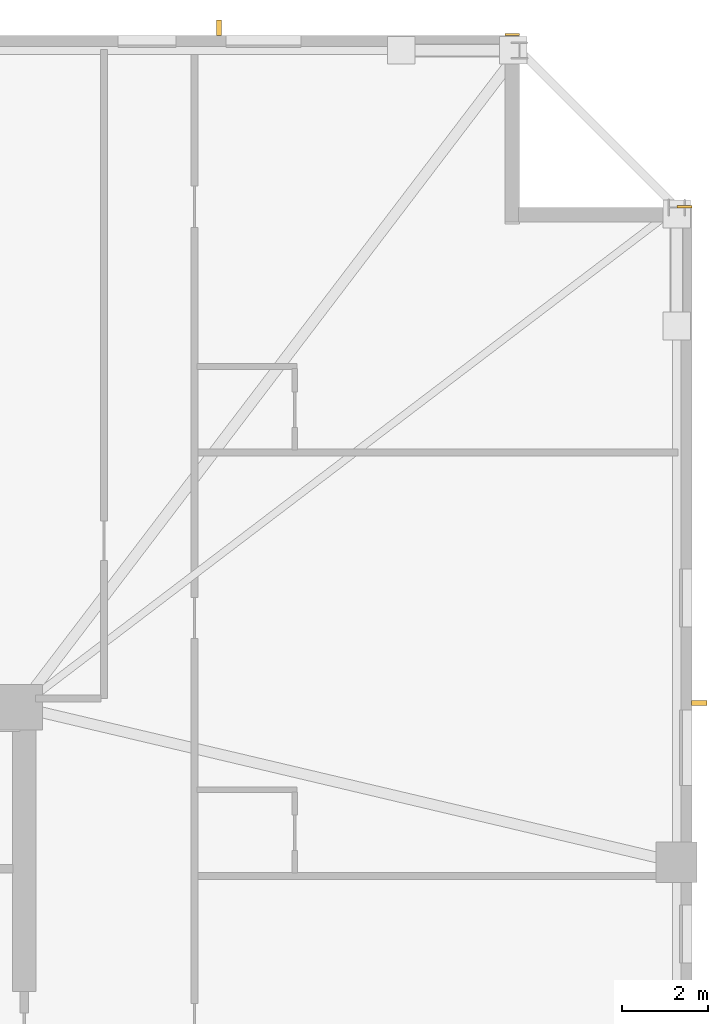
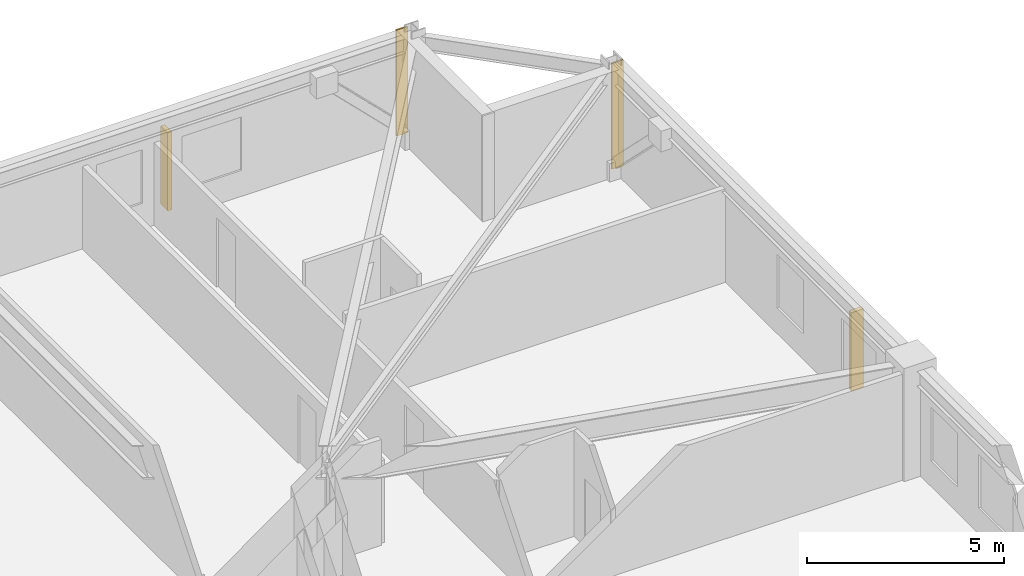
# One storey, part 10 of 10: 2 coverings, 2 shading devices.
"""IFC4 building model written with IfcOpenShell, lengths in metres."""

import ifcopenshell
import ifcopenshell.guid

model = None  # the IFC model being written
_history = None  # IfcOwnerHistory: only IFC2X3 demands one
_inside = {}  # id of a spatial element -> (the spatial element, [elements in it])
_under = {}  # id of a project, library or spatial element -> (it, [spatial elements below it])
_declared = {}  # id of a project -> (the project, [libraries it declares])
_typed = {}  # id of a type object -> (the type object, [elements of that type])
_made_of = {}  # id of a material, layer set ... -> (it, [elements and type objects made of it])


def new_model(schema):
    """Start an empty IFC model of exactly this schema.

    Asked for "IFC4X3", IfcOpenShell would pick the latest addendum, in which some entities
    have other attributes; the version numbers below select the first issue.
    IFC2X3 requires an IfcOwnerHistory on every rooted entity: one is made here for all.
    """
    global model, _history
    if schema == "IFC4X3":
        model = ifcopenshell.file(schema_version=(4, 3, 0, 0))
    else:
        model = ifcopenshell.file(schema=schema)
    _inside.clear()
    _under.clear()
    _declared.clear()
    _typed.clear()
    _made_of.clear()
    _history = None
    if model.schema == "IFC2X3":
        org = make("IfcOrganization", Name="unknown")
        user = make(
            "IfcPersonAndOrganization",
            ThePerson=make("IfcPerson", FamilyName="unknown"),
            TheOrganization=org,
        )
        app = make(
            "IfcApplication",
            ApplicationDeveloper=org,
            Version="unknown",
            ApplicationFullName="unknown",
            ApplicationIdentifier="unknown",
        )
        _history = make(
            "IfcOwnerHistory",
            OwningUser=user,
            OwningApplication=app,
            ChangeAction="ADDED",
            CreationDate=0,
        )
    return model


def make(cls, **values):
    """One entity of the class cls with the attributes given. An attribute that is None is left unset."""
    return model.create_entity(
        cls, **{name: value for name, value in values.items() if value is not None}
    )


def rooted(cls, **values):
    """An entity with a GlobalId (a new one), such as an element, a storey or a relation."""
    return make(cls, GlobalId=ifcopenshell.guid.new(), OwnerHistory=_history, **values)


def si_unit(unit_type, name, prefix=None):
    """IfcSIUnit, for example si_unit("LENGTHUNIT", "METRE", prefix="MILLI")."""
    return make("IfcSIUnit", UnitType=unit_type, Prefix=prefix, Name=name)


def assignment(units):
    """IfcUnitAssignment: the units of a project."""
    return None if units is None else make("IfcUnitAssignment", Units=units)


def point(xyz):
    """IfcCartesianPoint."""
    return None if xyz is None else make("IfcCartesianPoint", Coordinates=xyz)


def direction(xyz):
    """IfcDirection."""
    return None if xyz is None else make("IfcDirection", DirectionRatios=xyz)


def frame(location, z_axis=None, x_axis=None):
    """IfcAxis2Placement3D, a coordinate frame: its origin and axes. An axis left out is left unset."""
    return make(
        "IfcAxis2Placement3D",
        Location=point(location),
        Axis=direction(z_axis),
        RefDirection=direction(x_axis),
    )


def frame_2d(location, x_axis=None):
    """IfcAxis2Placement2D, a coordinate frame in the plane: its origin and x axis."""
    return make(
        "IfcAxis2Placement2D", Location=point(location), RefDirection=direction(x_axis)
    )


def origin():
    """The frame at (0, 0, 0) with its axes left unset."""
    return frame((0.0, 0.0, 0.0))


def origin_2d():
    """The frame at (0, 0) in the plane with its x axis left unset."""
    return frame_2d((0.0, 0.0))


def place(relative_to, where):
    """IfcLocalPlacement: puts the frame where relative to a parent placement (None: the world)."""
    return make(
        "IfcLocalPlacement", PlacementRelTo=relative_to, RelativePlacement=where
    )


def context(
    kind, dimensions, precision=None, world=None, true_north=None, identifier=None
):
    """IfcGeometricRepresentationContext, for example the 3D "Model" context."""
    return make(
        "IfcGeometricRepresentationContext",
        ContextIdentifier=identifier,
        ContextType=kind,
        CoordinateSpaceDimension=dimensions,
        Precision=precision,
        WorldCoordinateSystem=world,
        TrueNorth=true_north,
    )


def subcontext(parent, identifier, kind, view, scale=None):
    """IfcGeometricRepresentationSubContext, for example "Body" below "Model"."""
    return make(
        "IfcGeometricRepresentationSubContext",
        ContextIdentifier=identifier,
        ContextType=kind,
        ParentContext=parent,
        TargetScale=scale,
        TargetView=view,
    )


def project(units=None, contexts=None):
    """IfcProject with its units and contexts."""
    return rooted(
        "IfcProject",
        Name="project",
        RepresentationContexts=contexts,
        UnitsInContext=assignment(units),
    )


def spatial(cls, under=None, at=None, **own):
    """A site, building, storey or space (cls), placed at a placement, below another one or the project."""
    s = rooted(cls, ObjectPlacement=at, **own)
    if under is not None:
        _under.setdefault(under.id(), (under, []))[1].append(s)
    return s


def profile(cls, at=None, kind="AREA", **sizes):
    """A parametric profile (cls). Its sizes go by their IFC names, for example OverallWidth=200.0."""
    return make(cls, ProfileType=kind, Position=at, **sizes)


def rectangle(**sizes):
    """IfcRectangleProfileDef."""
    return profile("IfcRectangleProfileDef", **sizes)


def extrude(swept, where, along, depth):
    """IfcExtrudedAreaSolid: the profile swept, set in the frame where, extruded along a direction by depth."""
    return make(
        "IfcExtrudedAreaSolid",
        SweptArea=swept,
        Position=where,
        ExtrudedDirection=direction(along),
        Depth=depth,
    )


def shape(context_of_items, identifier, shape_type, items):
    """IfcShapeRepresentation: the items that make up one representation, for example the "Body"."""
    return make(
        "IfcShapeRepresentation",
        ContextOfItems=context_of_items,
        RepresentationIdentifier=identifier,
        RepresentationType=shape_type,
        Items=items,
    )


def material(Name=None, Category=None):
    """IfcMaterial."""
    return make("IfcMaterial", Name=Name, Category=Category)


def layer(
    of_material, thickness, ventilated=None, Name=None, Category=None, Priority=None
):
    """IfcMaterialLayer: one layer of a wall or slab, of a material (None: an air gap)."""
    return make(
        "IfcMaterialLayer",
        Material=of_material,
        LayerThickness=thickness,
        IsVentilated=ventilated,
        Name=Name,
        Category=Category,
        Priority=Priority,
    )


def layer_set(layers, Name=None):
    """IfcMaterialLayerSet."""
    return make("IfcMaterialLayerSet", MaterialLayers=layers, LayerSetName=Name)


def made_of(thing, what):
    """Note that an element or type object is made of a material, layer set ...; save() writes the relation."""
    if what is not None:
        _made_of.setdefault(what.id(), (what, []))[1].append(thing)
    return thing


def type_object(cls, material=None, **own):
    """A type object (cls), such as IfcWallType, which elements share."""
    return made_of(rooted(cls, **own), material)


def element(
    cls,
    number,
    at=None,
    inside=None,
    cuts=None,
    type_object=None,
    material=None,
    context=None,
    identifier="Body",
    shape_type=None,
    held_by="IfcProductDefinitionShape",
    body=None,
    shapes=None,
    **own,
):
    """One element of the class cls, such as IfcWall. Its Tag is "e" and its number.

    at: its placement. inside: the storey or other place that contains it. cuts: it is an
    opening in that element (IfcRelVoidsElement). A single representation is given by context,
    identifier, shape_type and body (its items); several are given by shapes. held_by: the class
    of the entity that holds the representations. save() writes the other relations.
    """
    e = rooted(cls, Tag="e%d" % number, ObjectPlacement=at, **own)
    if body is not None:
        shapes = [shape(context, identifier, shape_type, body)]
    if shapes is not None:
        e.Representation = make(held_by, Representations=shapes)
    if inside is not None:
        _inside.setdefault(inside.id(), (inside, []))[1].append(e)
    if cuts is not None:
        rooted(
            "IfcRelVoidsElement", RelatingBuildingElement=cuts, RelatedOpeningElement=e
        )
    if type_object is not None:
        _typed.setdefault(type_object.id(), (type_object, []))[1].append(e)
    return made_of(e, material)


def aggregate(whole, parts):
    """IfcRelAggregates: a whole, such as a stair, and the parts it consists of."""
    return rooted("IfcRelAggregates", RelatingObject=whole, RelatedObjects=parts)


def save(model, path):
    """Write the relations noted so far, then the file.

    IfcRelAggregates (storeys below a building ...), IfcRelContainedInSpatialStructure (elements
    in a storey), IfcRelDefinesByType, IfcRelAssociatesMaterial and IfcRelDeclares: one each for
    every whole, place, type object, material and project.
    """
    for whole, parts in _under.values():
        aggregate(whole, parts)
    for where, things in _inside.values():
        rooted(
            "IfcRelContainedInSpatialStructure",
            RelatedElements=things,
            RelatingStructure=where,
        )
    for kind, things in _typed.values():
        rooted("IfcRelDefinesByType", RelatedObjects=things, RelatingType=kind)
    for what, things in _made_of.values():
        rooted("IfcRelAssociatesMaterial", RelatedObjects=things, RelatingMaterial=what)
    for by, libraries in _declared.values():
        rooted("IfcRelDeclares", RelatingContext=by, RelatedDefinitions=libraries)
    model.write(path)


model = new_model("IFC4")

# Units and contexts
model_context = context("Model", 3, precision=1e-05, world=origin(), true_north=direction((0.0, 1.0)))
body_context = subcontext(model_context, "Body", "Model", "MODEL_VIEW")
ifc_project = project(units=[si_unit("LENGTHUNIT", "METRE"), si_unit("AREAUNIT", "SQUARE_METRE"), si_unit("VOLUMEUNIT", "CUBIC_METRE"), si_unit("PLANEANGLEUNIT", "RADIAN"), si_unit("MASSUNIT", "GRAM", prefix="KILO")], contexts=[model_context])

# Site, building, storey
site_placement = place(None, origin())
site = spatial("IfcSite", under=ifc_project, at=site_placement, CompositionType="ELEMENT")
building_placement = place(site_placement, origin())
building = spatial("IfcBuilding", under=site, at=building_placement, Name="Cairnveth Concourse Tower", CompositionType="ELEMENT")
storey_placement = place(building_placement, frame((0.0, 0.0, 179.5)))
storey = spatial("IfcBuildingStorey", under=building, at=storey_placement, Name="L49", CompositionType="ELEMENT", Elevation=179.5)

# Coverings
ifc_material_1 = material(Name="Dressed Melbourne Bluestone Cladding", Category="masonry")
ifc_layer = layer(ifc_material_1, 0.050048828125)
ifc_layer_set = layer_set([ifc_layer], Name="Dressed Melbourne Bluestone Cladding")
covering_type = type_object("IfcCoveringType", Name="DRESSED BLUESTONE PLINTH CLADDING 50", PredefinedType="CLADDING", material=ifc_layer_set)
for number, where, z_axis, x_axis, name in (
    (1, (71.659912109375, 63.02001953125, 0.0), (0.0, 0.0, 1.0), (1.0, 0.0, 0.0), "Melbourne Bluestone Corner Quoin L49-733"),
    (2, (75.659912109375, 59.02001953125, 0.0), (0.0, 0.0, 1.0), (1.0, 0.0, 0.0), "Melbourne Bluestone Corner Quoin L49-735"),
):
    element("IfcCovering", number, at=place(storey_placement, frame(where, z_axis=z_axis, x_axis=x_axis)), inside=storey, type_object=covering_type, Name=name, PredefinedType="CLADDING", context=body_context, shape_type="SweptSolid", body=[
        extrude(rectangle(XDim=0.340087890625, YDim=0.050048828125, at=frame_2d((0.169921875, 0.0))), origin(), (0.0, 0.0, 1.0), 3.280029296875),
    ])

# Shading devices
ifc_material_2 = material(Name="Architectural Bronze Anodised Aluminium 6063-T6", Category="aluminium")
shading_device_type = type_object("IfcShadingDeviceType", Name="GOTHIC BRONZE VERTICAL LANCET FIN", PredefinedType="USERDEFINED", material=ifc_material_2)
for number, where, z_axis, x_axis, name in (
    (3, (65.020263671875, 63.175048828125, 0.030029296875), (0.0, 0.0, 1.0), (1.0, 0.0, 0.0), "Gothic Bronze Vertical Fin L49-9-9"),
    (4, (76.175048828125, 47.493896484375, 0.030029296875), (0.0, 0.0, 1.0), (0.0, 1.0, 0.0), "Gothic Bronze Vertical Fin L49-12-3"),
):
    element("IfcShadingDevice", number, at=place(storey_placement, frame(where, z_axis=z_axis, x_axis=x_axis)), inside=storey, type_object=shading_device_type, Name=name, ObjectType="VERTICAL FIN", PredefinedType="USERDEFINED", context=body_context, shape_type="SweptSolid", body=[
        extrude(rectangle(XDim=0.1201171875, YDim=0.360107421875, at=origin_2d()), origin(), (0.0, 0.0, 1.0), 2.419921875),
    ])

save(model, "model.ifc")
